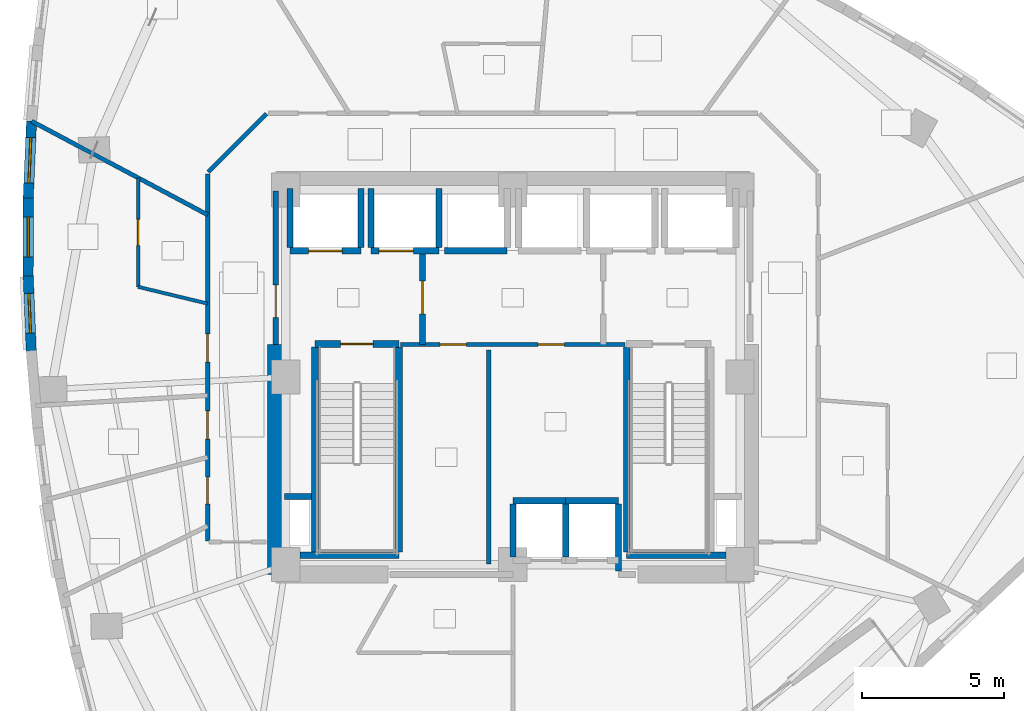
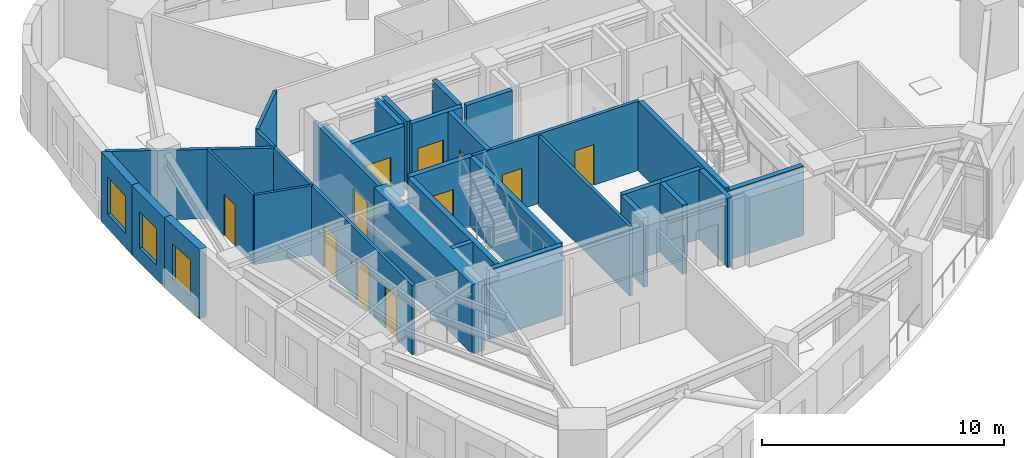
# One storey, part 6 of 12: 32 walls, 11 doors, 3 windows, 14 openings.
"""IFC4 building model written with IfcOpenShell, lengths in metres."""

from ifc_helpers import new_model, si_unit, direction, frame, frame_2d, origin, place, context, subcontext, project, spatial, rectangle, extrude, material, layer, layer_set, type_object, element, fill, save


model = new_model("IFC4")

# Units and contexts
model_context = context("Model", 3, precision=1e-05, world=origin(), true_north=direction((0.0, 1.0)))
body_context = subcontext(model_context, "Body", "Model", "MODEL_VIEW")
ifc_project = project(units=[si_unit("LENGTHUNIT", "METRE"), si_unit("AREAUNIT", "SQUARE_METRE"), si_unit("VOLUMEUNIT", "CUBIC_METRE"), si_unit("PLANEANGLEUNIT", "RADIAN"), si_unit("MASSUNIT", "GRAM", prefix="KILO")], contexts=[model_context])

# Site, building, storey
site_placement = place(None, origin())
site = spatial("IfcSite", under=ifc_project, at=site_placement, CompositionType="ELEMENT")
building_placement = place(site_placement, origin())
building = spatial("IfcBuilding", under=site, at=building_placement, Name="Ndelora Gate Hotel", CompositionType="ELEMENT")
storey_placement = place(building_placement, frame((0.0, 0.0, 142.25)))
storey = spatial("IfcBuildingStorey", under=building, at=storey_placement, Name="L35", CompositionType="ELEMENT", Elevation=142.25)

# Wall, opening, window
ifc_material_1 = material(Name="Clay Brick Masonry", Category="masonry")
ifc_layer_1 = layer(ifc_material_1, 0.360107421875)
ifc_layer_set_1 = layer_set([ifc_layer_1], Name="Clay Brick Masonry")
wall_type_1 = type_object("IfcWallType", Name="WL-BRICK-360", PredefinedType="SOLIDWALL", material=ifc_layer_set_1)
wall_1_placement = place(storey_placement, frame((-17.069580078125, 6.26220703125, 0.0), z_axis=(0.0, 0.0, 1.0), x_axis=(0.043014721574, 0.999074438532, 0.0)))
wall_1 = element("IfcWall", 1, at=wall_1_placement, inside=storey, type_object=wall_type_1, Name="L35 Tower Brick Pier-and-Spandrel Wall TWR-11", PredefinedType="SOLIDWALL", context=body_context, shape_type="SweptSolid", body=[
    extrude(rectangle(XDim=2.75830078125, YDim=0.360107421875, at=frame_2d((1.379150390625, 0.0))), origin(), (0.0, 0.0, 1.0), 3.5),
])
opening_1_placement = place(wall_1_placement, frame((0.5791015625, 0.0, 0.719970703125)))
opening_1 = element("IfcOpeningElement", 2, at=opening_1_placement, cuts=wall_1, Name="Opening W01", PredefinedType="OPENING", context=body_context, shape_type="SweptSolid", body=[
    extrude(rectangle(XDim=1.60009765625, YDim=1.8798828125, at=frame_2d((0.800048828125, 0.93994140625))), frame((0.0, 0.18994140625, 0.0), z_axis=(0.0, -1.0, 0.0), x_axis=(1.0, 0.0, 0.0)), (0.0, 0.0, 1.0), 0.380126953125),
])
ifc_material_2 = material(Name="Insulated Low-E Double Glazing in Bronze Aluminium Frame", Category="aluminium")
window_type_1 = type_object("IfcWindowType", Name="WN-DEEP-1600", PartitioningType="SINGLE_PANEL", PredefinedType="WINDOW", material=ifc_material_2)
window_1_placement = place(opening_1_placement, origin())
window_1 = element("IfcWindow", 3, at=window_1_placement, inside=storey, type_object=window_type_1, Name="L35 Deep-Set Brick-Pier Window W01", OverallHeight=1.8798828125, OverallWidth=1.60009765625, PartitioningType="SINGLE_PANEL", PredefinedType="WINDOW", context=body_context, shape_type="SweptSolid", body=[
    extrude(rectangle(XDim=1.60009765625, YDim=1.8798828125, at=frame_2d((0.800048828125, 0.93994140625))), frame((0.0, 0.030029296875, 0.0), z_axis=(0.0, -1.0, 0.0), x_axis=(1.0, 0.0, 0.0)), (0.0, 0.0, 1.0), 0.06005859375),
])
fill(opening_1, window_1)

wall_2_placement = place(storey_placement, frame((-17.071533203125, 3.568115234375, 0.0), z_axis=(0.0, 0.0, 1.0), x_axis=(0.001156582856, 0.999999331158, 0.0)))
wall_2 = element("IfcWall", 4, at=wall_2_placement, inside=storey, type_object=wall_type_1, Name="L35 Tower Brick Pier-and-Spandrel Wall TWR-12", PredefinedType="SOLIDWALL", context=body_context, shape_type="SweptSolid", body=[
    extrude(rectangle(XDim=2.744140625, YDim=0.360107421875, at=frame_2d((1.3720703125, 0.0))), origin(), (0.0, 0.0, 1.0), 3.5),
])
opening_2_placement = place(wall_2_placement, frame((0.672119140625, 0.0, 0.719970703125)))
opening_2 = element("IfcOpeningElement", 5, at=opening_2_placement, cuts=wall_2, Name="Opening W02", PredefinedType="OPENING", context=body_context, shape_type="SweptSolid", body=[
    extrude(rectangle(XDim=1.39990234375, YDim=1.840087890625, at=frame_2d((0.699951171875, 0.919921875))), frame((0.0, 0.18994140625, 0.0), z_axis=(0.0, -1.0, 0.0), x_axis=(1.0, 0.0, 0.0)), (0.0, 0.0, 1.0), 0.380126953125),
])
window_type_2 = type_object("IfcWindowType", Name="WN-DEEP-1400", PartitioningType="SINGLE_PANEL", PredefinedType="WINDOW", material=ifc_material_2)
window_2_placement = place(opening_2_placement, origin())
window_2 = element("IfcWindow", 6, at=window_2_placement, inside=storey, type_object=window_type_2, Name="L35 Deep-Set Brick-Pier Window W02", OverallHeight=1.840087890625, OverallWidth=1.39990234375, PartitioningType="SINGLE_PANEL", PredefinedType="WINDOW", context=body_context, shape_type="SweptSolid", body=[
    extrude(rectangle(XDim=1.39990234375, YDim=1.840087890625, at=frame_2d((0.699951171875, 0.919921875))), frame((0.0, 0.030029296875, 0.0), z_axis=(0.0, -1.0, 0.0), x_axis=(1.0, 0.0, 0.0)), (0.0, 0.0, 1.0), 0.06005859375),
])
fill(opening_2, window_2)

wall_3_placement = place(storey_placement, frame((-16.96044921875, 0.885986328125, 0.0), z_axis=(0.0, 0.0, 1.0), x_axis=(-0.040980646294, 0.999159940465, 0.0)))
wall_3 = element("IfcWall", 7, at=wall_3_placement, inside=storey, type_object=wall_type_1, Name="L35 Tower Brick Pier-and-Spandrel Wall TWR-13", PredefinedType="SOLIDWALL", context=body_context, shape_type="SweptSolid", body=[
    extrude(rectangle(XDim=2.734375, YDim=0.360107421875, at=frame_2d((1.3671875, 0.0))), origin(), (0.0, 0.0, 1.0), 3.5),
])
opening_3_placement = place(wall_3_placement, frame((0.667236328125, 0.0, 0.719970703125)))
opening_3 = element("IfcOpeningElement", 8, at=opening_3_placement, cuts=wall_3, Name="Opening W02", PredefinedType="OPENING", context=body_context, shape_type="SweptSolid", body=[
    extrude(rectangle(XDim=1.39990234375, YDim=1.840087890625, at=frame_2d((0.699951171875, 0.919921875))), frame((0.0, 0.18994140625, 0.0), z_axis=(0.0, -1.0, 0.0), x_axis=(1.0, 0.0, 0.0)), (0.0, 0.0, 1.0), 0.380126953125),
])
window_3_placement = place(opening_3_placement, origin())
window_3 = element("IfcWindow", 9, at=window_3_placement, inside=storey, type_object=window_type_2, Name="L35 Deep-Set Brick-Pier Window W02", OverallHeight=1.840087890625, OverallWidth=1.39990234375, PartitioningType="SINGLE_PANEL", PredefinedType="WINDOW", context=body_context, shape_type="SweptSolid", body=[
    extrude(rectangle(XDim=1.39990234375, YDim=1.840087890625, at=frame_2d((0.699951171875, 0.919921875))), frame((0.0, 0.030029296875, 0.0), z_axis=(0.0, -1.0, 0.0), x_axis=(1.0, 0.0, 0.0)), (0.0, 0.0, 1.0), 0.06005859375),
])
fill(opening_3, window_3)

# Wall
ifc_material_3 = material(Name="Concrete C60/75", Category="concrete")
ifc_layer_2 = layer(ifc_material_3, 0.60009765625)
ifc_layer_set_2 = layer_set([ifc_layer_2], Name="Concrete C60/75")
wall_type_2 = type_object("IfcWallType", Name="WL-CORE-600", PredefinedType="SHEAR", material=ifc_layer_set_2)
wall_4_placement = place(storey_placement, frame((-8.35009765625, -6.949951171875, 0.0), z_axis=(0.0, 0.0, 1.0), x_axis=(0.0, 1.0, 0.0)))
element("IfcWall", 10, at=wall_4_placement, inside=storey, type_object=wall_type_2, Name="L35 Core Shear Wall W", PredefinedType="SHEAR", context=body_context, shape_type="SweptSolid", body=[
    extrude(rectangle(XDim=8.099853515625, YDim=0.60009765625, at=frame_2d((4.0498046875, 0.0))), origin(), (0.0, 0.0, 1.0), 3.5),
])

# Wall, opening, door
ifc_material_4 = material(Name="Concrete C40/50", Category="concrete")
ifc_layer_3 = layer(ifc_material_4, 0.199951171875)
ifc_layer_set_3 = layer_set([ifc_layer_3], Name="Concrete C40/50")
wall_type_3 = type_object("IfcWallType", Name="WL-FIRE-200", PredefinedType="PARTITIONING", material=ifc_layer_set_3)
wall_5_placement = place(storey_placement, frame((-3.179931640625, 1.14990234375, 0.0), z_axis=(0.0, 0.0, 1.0), x_axis=(0.0, 1.0, 0.0)))
wall_5 = element("IfcWall", 11, at=wall_5_placement, inside=storey, type_object=wall_type_3, Name="L35 Interior Wall IW-2", PredefinedType="PARTITIONING", context=body_context, shape_type="SweptSolid", body=[
    extrude(rectangle(XDim=3.300048828125, YDim=0.199951171875, at=frame_2d((1.64990234375, 0.0))), origin(), (0.0, 0.0, 1.0), 3.5),
])
opening_4_placement = place(wall_5_placement, frame((1.080078125, 0.0, 0.0)))
opening_4 = element("IfcOpeningElement", 12, at=opening_4_placement, cuts=wall_5, Name="Opening FD1", PredefinedType="OPENING", context=body_context, shape_type="SweptSolid", body=[
    extrude(rectangle(XDim=1.14990234375, YDim=2.14990234375, at=frame_2d((0.574951171875, 1.074951171875))), frame((0.0, 0.10986328125, 0.0), z_axis=(0.0, -1.0, 0.0), x_axis=(1.0, 0.0, 0.0)), (0.0, 0.0, 1.0), 0.219970703125),
])
ifc_material_5 = material(Name="Fire-Rated Timber-Veneer Steel Core", Category="steel")
door_type_1 = type_object("IfcDoorType", Name="DR-FD60", OperationType="SINGLE_SWING_LEFT", PredefinedType="DOOR", material=ifc_material_5)
door_1_placement = place(opening_4_placement, origin())
door_1 = element("IfcDoor", 13, at=door_1_placement, inside=storey, type_object=door_type_1, Name="L35 Firefighting Lobby West Door", OperationType="SINGLE_SWING_RIGHT", OverallHeight=2.14990234375, OverallWidth=1.14990234375, PredefinedType="DOOR", context=body_context, shape_type="SweptSolid", body=[
    extrude(rectangle(XDim=1.14990234375, YDim=2.14990234375, at=frame_2d((0.574951171875, 1.074951171875))), frame((0.0, 0.02490234375, 0.0), z_axis=(0.0, -1.0, 0.0), x_axis=(1.0, 0.0, 0.0)), (0.0, 0.0, 1.0), 0.050048828125),
])
fill(opening_4, door_1)

wall_6_placement = place(storey_placement, frame((-8.35009765625, 1.14990234375, 0.0), z_axis=(0.0, 0.0, 1.0), x_axis=(0.0, 1.0, 0.0)))
wall_6 = element("IfcWall", 14, at=wall_6_placement, inside=storey, type_object=wall_type_3, Name="L35 Interior Wall IW-2", PredefinedType="PARTITIONING", context=body_context, shape_type="SweptSolid", body=[
    extrude(rectangle(XDim=5.400146484375, YDim=0.199951171875, at=frame_2d((2.7001953125, 0.0))), origin(), (0.0, 0.0, 1.0), 3.5),
])
opening_5_placement = place(wall_6_placement, frame((0.949951171875, 0.0, 0.0)))
opening_5 = element("IfcOpeningElement", 15, at=opening_5_placement, cuts=wall_6, Name="Opening FD1", PredefinedType="OPENING", context=body_context, shape_type="SweptSolid", body=[
    extrude(rectangle(XDim=1.14990234375, YDim=2.14990234375, at=frame_2d((0.574951171875, 1.074951171875))), frame((0.0, 0.10986328125, 0.0), z_axis=(0.0, -1.0, 0.0), x_axis=(1.0, 0.0, 0.0)), (0.0, 0.0, 1.0), 0.219970703125),
])
door_2_placement = place(opening_5_placement, origin())
door_2 = element("IfcDoor", 16, at=door_2_placement, inside=storey, type_object=door_type_1, Name="L35 Firefighting Lobby West Corridor Door", OperationType="SINGLE_SWING_LEFT", OverallHeight=2.14990234375, OverallWidth=1.14990234375, PredefinedType="DOOR", context=body_context, shape_type="SweptSolid", body=[
    extrude(rectangle(XDim=1.14990234375, YDim=2.14990234375, at=frame_2d((0.574951171875, 1.074951171875))), frame((0.0, 0.02490234375, 0.0), z_axis=(0.0, -1.0, 0.0), x_axis=(1.0, 0.0, 0.0)), (0.0, 0.0, 1.0), 0.050048828125),
])
fill(opening_5, door_2)

# Wall, openings, doors
ifc_material_6 = material(Name="Fire-Rated Gypsum Stud Partition", Category="gypsum")
ifc_layer_4 = layer(ifc_material_6, 0.14990234375)
ifc_layer_set_4 = layer_set([ifc_layer_4], Name="Fire-Rated Gypsum Stud Partition")
wall_type_4 = type_object("IfcWallType", Name="WL-PART-150", PredefinedType="PARTITIONING", material=ifc_layer_set_4)
wall_7_placement = place(storey_placement, frame((3.949951171875, 1.14990234375, 0.0), z_axis=(0.0, 0.0, 1.0), x_axis=(-1.0, 0.0, 0.0)))
wall_7 = element("IfcWall", 17, at=wall_7_placement, inside=storey, type_object=wall_type_4, Name="L35 Interior Wall IW-5", PredefinedType="PARTITIONING", context=body_context, shape_type="SweptSolid", body=[
    extrude(rectangle(XDim=7.89990234375, YDim=0.14990234375, at=frame_2d((3.949951171875, 0.0))), origin(), (0.0, 0.0, 1.0), 3.5),
])
opening_6_placement = place(wall_7_placement, frame((5.590087890625, 0.0, 0.0)))
opening_6 = element("IfcOpeningElement", 18, at=opening_6_placement, cuts=wall_7, Name="Opening D04", PredefinedType="OPENING", context=body_context, shape_type="SweptSolid", body=[
    extrude(rectangle(XDim=0.919921875, YDim=2.050048828125, at=frame_2d((0.4599609375, 1.02490234375))), frame((0.0, 0.0849609375, 0.0), z_axis=(0.0, -1.0, 0.0), x_axis=(1.0, 0.0, 0.0)), (0.0, 0.0, 1.0), 0.169921875),
])
opening_7_placement = place(wall_7_placement, frame((2.139892578125, 0.0, 0.0)))
opening_7 = element("IfcOpeningElement", 19, at=opening_7_placement, cuts=wall_7, Name="Opening D04", PredefinedType="OPENING", context=body_context, shape_type="SweptSolid", body=[
    extrude(rectangle(XDim=0.919921875, YDim=2.050048828125, at=frame_2d((0.4599609375, 1.02490234375))), frame((0.0, 0.0849609375, 0.0), z_axis=(0.0, -1.0, 0.0), x_axis=(1.0, 0.0, 0.0)), (0.0, 0.0, 1.0), 0.169921875),
])
ifc_material_7 = material(Name="Painted Steel Core Service Door", Category="steel")
door_type_2 = type_object("IfcDoorType", Name="DR-SER-920", OperationType="SINGLE_SWING_LEFT", PredefinedType="DOOR", material=ifc_material_7)
door_3_placement = place(opening_6_placement, origin())
door_3 = element("IfcDoor", 20, at=door_3_placement, inside=storey, type_object=door_type_2, Name="L35 Core Electrical Switchroom Door", OperationType="SINGLE_SWING_LEFT", OverallHeight=2.050048828125, OverallWidth=0.919921875, PredefinedType="DOOR", context=body_context, shape_type="SweptSolid", body=[
    extrude(rectangle(XDim=0.919921875, YDim=2.050048828125, at=frame_2d((0.4599609375, 1.02490234375))), frame((0.0, 0.02490234375, 0.0), z_axis=(0.0, -1.0, 0.0), x_axis=(1.0, 0.0, 0.0)), (0.0, 0.0, 1.0), 0.050048828125),
])
fill(opening_6, door_3)
door_4_placement = place(opening_7_placement, origin())
door_4 = element("IfcDoor", 21, at=door_4_placement, inside=storey, type_object=door_type_2, Name="L35 Central Linen Equipment Store Door", OperationType="SINGLE_SWING_RIGHT", OverallHeight=2.050048828125, OverallWidth=0.919921875, PredefinedType="DOOR", context=body_context, shape_type="SweptSolid", body=[
    extrude(rectangle(XDim=0.919921875, YDim=2.050048828125, at=frame_2d((0.4599609375, 1.02490234375))), frame((0.0, 0.02490234375, 0.0), z_axis=(0.0, -1.0, 0.0), x_axis=(1.0, 0.0, 0.0)), (0.0, 0.0, 1.0), 0.050048828125),
])
fill(opening_7, door_4)

# Walls
wall_8_placement = place(storey_placement, frame((-0.85009765625, -6.580078125, 0.0), z_axis=(0.0, 0.0, 1.0), x_axis=(0.0, 1.0, 0.0)))
element("IfcWall", 22, at=wall_8_placement, inside=storey, type_object=wall_type_4, Name="L35 Interior Wall IW-5", PredefinedType="PARTITIONING", context=body_context, shape_type="SweptSolid", body=[
    extrude(rectangle(XDim=7.530029296875, YDim=0.14990234375, at=frame_2d((3.76513671875, 0.0))), origin(), (0.0, 0.0, 1.0), 3.5),
])
wall_9_placement = place(storey_placement, frame((-10.7216796875, 7.228271484375, 0.0), z_axis=(0.0, 0.0, 1.0), x_axis=(0.707106781187, 0.707106781187, 0.0)))
element("IfcWall", 23, at=wall_9_placement, inside=storey, type_object=wall_type_4, Name="L35 Interior Wall IW-5", PredefinedType="PARTITIONING", context=body_context, shape_type="SweptSolid", body=[
    extrude(rectangle(XDim=2.889892578125, YDim=0.14990234375, at=frame_2d((1.44482421875, 0.0))), origin(), (0.0, 0.0, 1.0), 3.5),
])

# Wall, openings, doors
wall_10_placement = place(storey_placement, frame((-10.75, -5.760009765625, 0.0), z_axis=(0.0, 0.0, 1.0), x_axis=(0.0, 1.0, 0.0)))
wall_10 = element("IfcWall", 24, at=wall_10_placement, inside=storey, type_object=wall_type_4, Name="L35 Interior Wall IW-5", PredefinedType="PARTITIONING", context=body_context, shape_type="SweptSolid", body=[
    extrude(rectangle(XDim=12.919921875, YDim=0.14990234375, at=frame_2d((6.4599609375, 0.0))), origin(), (0.0, 0.0, 1.0), 3.5),
])
opening_8_placement = place(wall_10_placement, frame((1.29345703125, 0.0, 0.0)))
opening_8 = element("IfcOpeningElement", 25, at=opening_8_placement, cuts=wall_10, Name="Opening D05", PredefinedType="OPENING", context=body_context, shape_type="SweptSolid", body=[
    extrude(rectangle(XDim=0.949951171875, YDim=2.10009765625, at=frame_2d((0.47509765625, 1.050048828125))), frame((0.0, 0.0849609375, 0.0), z_axis=(0.0, -1.0, 0.0), x_axis=(1.0, 0.0, 0.0)), (0.0, 0.0, 1.0), 0.169921875),
])
opening_9_placement = place(wall_10_placement, frame((3.575439453125, 0.0, 0.0)))
opening_9 = element("IfcOpeningElement", 26, at=opening_9_placement, cuts=wall_10, Name="Opening D01", PredefinedType="OPENING", context=body_context, shape_type="SweptSolid", body=[
    extrude(rectangle(XDim=1.0, YDim=2.14990234375, at=frame_2d((0.5, 1.074951171875))), frame((0.0, 0.0849609375, 0.0), z_axis=(0.0, -1.0, 0.0), x_axis=(1.0, 0.0, 0.0)), (0.0, 0.0, 1.0), 0.169921875),
])
opening_10_placement = place(wall_10_placement, frame((6.286865234375, 0.0, 0.0)))
opening_10 = element("IfcOpeningElement", 27, at=opening_10_placement, cuts=wall_10, Name="Opening D01", PredefinedType="OPENING", context=body_context, shape_type="SweptSolid", body=[
    extrude(rectangle(XDim=1.0, YDim=2.14990234375, at=frame_2d((0.5, 1.074951171875))), frame((0.0, 0.0849609375, 0.0), z_axis=(0.0, -1.0, 0.0), x_axis=(1.0, 0.0, 0.0)), (0.0, 0.0, 1.0), 0.169921875),
])
ifc_material_8 = material(Name="Accessible Restroom Wide-Clearance Door", Category="wood")
door_type_3 = type_object("IfcDoorType", Name="DR-ACC-950", OperationType="SINGLE_SWING_LEFT", PredefinedType="DOOR", material=ifc_material_8)
door_5_placement = place(opening_8_placement, origin())
door_5 = element("IfcDoor", 28, at=door_5_placement, inside=storey, type_object=door_type_3, Name="L35 Accessible WC Entrance Door", OperationType="SINGLE_SWING_RIGHT", OverallHeight=2.10009765625, OverallWidth=0.949951171875, PredefinedType="DOOR", context=body_context, shape_type="SweptSolid", body=[
    extrude(rectangle(XDim=0.949951171875, YDim=2.10009765625, at=frame_2d((0.47509765625, 1.050048828125))), frame((0.0, 0.02490234375, 0.0), z_axis=(0.0, -1.0, 0.0), x_axis=(1.0, 0.0, 0.0)), (0.0, 0.0, 1.0), 0.050048828125),
])
fill(opening_8, door_5)
ifc_material_9 = material(Name="Acoustic Hardwood Guest Entrance Door", Category="wood")
door_type_4 = type_object("IfcDoorType", Name="DR-COR-1000", OperationType="SINGLE_SWING_LEFT", PredefinedType="DOOR", material=ifc_material_9)
door_6_placement = place(opening_9_placement, origin())
door_6 = element("IfcDoor", 29, at=door_6_placement, inside=storey, type_object=door_type_4, Name="L35 Housekeeping and Linen Room Entrance Door", OperationType="SINGLE_SWING_LEFT", OverallHeight=2.14990234375, OverallWidth=1.0, PredefinedType="DOOR", context=body_context, shape_type="SweptSolid", body=[
    extrude(rectangle(XDim=1.0, YDim=2.14990234375, at=frame_2d((0.5, 1.074951171875))), frame((0.0, 0.02490234375, 0.0), z_axis=(0.0, -1.0, 0.0), x_axis=(1.0, 0.0, 0.0)), (0.0, 0.0, 1.0), 0.050048828125),
])
fill(opening_9, door_6)
door_7_placement = place(opening_10_placement, origin())
door_7 = element("IfcDoor", 30, at=door_7_placement, inside=storey, type_object=door_type_4, Name="L35 Club King Guest Room 3804 Entrance Door", OperationType="SINGLE_SWING_RIGHT", OverallHeight=2.14990234375, OverallWidth=1.0, PredefinedType="DOOR", context=body_context, shape_type="SweptSolid", body=[
    extrude(rectangle(XDim=1.0, YDim=2.14990234375, at=frame_2d((0.5, 1.074951171875))), frame((0.0, 0.02490234375, 0.0), z_axis=(0.0, -1.0, 0.0), x_axis=(1.0, 0.0, 0.0)), (0.0, 0.0, 1.0), 0.050048828125),
])
fill(opening_10, door_7)

# Walls
wall_11_placement = place(storey_placement, frame((-10.75, 5.718994140625, 0.0), z_axis=(0.0, 0.0, 1.0), x_axis=(-0.882843253565, 0.469667743873, 0.0)))
element("IfcWall", 31, at=wall_11_placement, inside=storey, type_object=wall_type_4, Name="L35 Interior Wall IW-5", PredefinedType="PARTITIONING", context=body_context, shape_type="SweptSolid", body=[
    extrude(rectangle(XDim=7.022705078125, YDim=0.14990234375, at=frame_2d((3.51123046875, 0.0))), origin(), (0.0, 0.0, 1.0), 3.5),
])
ifc_layer_5 = layer(ifc_material_4, 0.219970703125)
ifc_layer_set_5 = layer_set([ifc_layer_5], Name="Concrete C40/50")
wall_type_5 = type_object("IfcWallType", Name="WL-SHAFT-220", PredefinedType="PARTITIONING", material=ifc_layer_set_5)
wall_12_placement = place(storey_placement, frame((-8.050048828125, -4.199951171875, 0.0), z_axis=(0.0, 0.0, 1.0), x_axis=(1.0, 0.0, 0.0)))
element("IfcWall", 32, at=wall_12_placement, inside=storey, type_object=wall_type_5, Name="L35 Interior Wall IW-1", PredefinedType="PARTITIONING", context=body_context, shape_type="SweptSolid", body=[
    extrude(rectangle(XDim=0.9599609375, YDim=0.219970703125, at=frame_2d((0.47998046875, 0.0))), origin(), (0.0, 0.0, 1.0), 3.5),
])

# Wall, opening, door
wall_13_placement = place(storey_placement, frame((-7.85009765625, 4.449951171875, 0.0), z_axis=(0.0, 0.0, 1.0), x_axis=(1.0, 0.0, 0.0)))
wall_13 = element("IfcWall", 33, at=wall_13_placement, inside=storey, type_object=wall_type_5, Name="L35 Interior Wall IW-1", PredefinedType="PARTITIONING", context=body_context, shape_type="SweptSolid", body=[
    extrude(rectangle(XDim=2.5, YDim=0.219970703125, at=frame_2d((1.25, 0.0))), origin(), (0.0, 0.0, 1.0), 3.5),
])
opening_11_placement = place(wall_13_placement, frame((0.659912109375, 0.0, 0.0)))
opening_11 = element("IfcOpeningElement", 34, at=opening_11_placement, cuts=wall_13, Name="Opening LD5", PredefinedType="OPENING", context=body_context, shape_type="SweptSolid", body=[
    extrude(rectangle(XDim=1.179931640625, YDim=2.14990234375, at=frame_2d((0.58984375, 1.074951171875))), frame((0.0, 0.1201171875, 0.0), z_axis=(0.0, -1.0, 0.0), x_axis=(1.0, 0.0, 0.0)), (0.0, 0.0, 1.0), 0.239990234375),
])
ifc_material_10 = material(Name="Firefighting Lift Stainless Sliding Landing Door", Category="metal")
door_type_5 = type_object("IfcDoorType", Name="DR-LD5", OperationType="DOUBLE_DOOR_SLIDING", PredefinedType="DOOR", material=ifc_material_10)
door_8_placement = place(opening_11_placement, origin())
door_8 = element("IfcDoor", 35, at=door_8_placement, inside=storey, type_object=door_type_5, Name="L35 Lift Landing Sliding Door FFL1", OperationType="DOUBLE_DOOR_SLIDING", OverallHeight=2.14990234375, OverallWidth=1.179931640625, PredefinedType="DOOR", context=body_context, shape_type="SweptSolid", body=[
    extrude(rectangle(XDim=1.179931640625, YDim=2.14990234375, at=frame_2d((0.58984375, 1.074951171875))), frame((0.0, 0.02490234375, 0.0), z_axis=(0.0, -1.0, 0.0), x_axis=(1.0, 0.0, 0.0)), (0.0, 0.0, 1.0), 0.050048828125),
])
fill(opening_11, door_8)

# Walls
wall_14_placement = place(storey_placement, frame((-7.85009765625, 4.570068359375, 0.0), z_axis=(0.0, 0.0, 1.0), x_axis=(0.0, 1.0, 0.0)))
element("IfcWall", 36, at=wall_14_placement, inside=storey, type_object=wall_type_5, Name="L35 Interior Wall IW-1", PredefinedType="PARTITIONING", context=body_context, shape_type="SweptSolid", body=[
    extrude(rectangle(XDim=2.079833984375, YDim=0.219970703125, at=frame_2d((1.0400390625, 0.0))), origin(), (0.0, 0.0, 1.0), 3.1201171875),
])
wall_15_placement = place(storey_placement, frame((-5.35009765625, 4.570068359375, 0.0), z_axis=(0.0, 0.0, 1.0), x_axis=(0.0, 1.0, 0.0)))
element("IfcWall", 37, at=wall_15_placement, inside=storey, type_object=wall_type_5, Name="L35 Interior Wall IW-1", PredefinedType="PARTITIONING", context=body_context, shape_type="SweptSolid", body=[
    extrude(rectangle(XDim=2.079833984375, YDim=0.219970703125, at=frame_2d((1.0400390625, 0.0))), origin(), (0.0, 0.0, 1.0), 3.5),
])

# Wall, opening, door
wall_16_placement = place(storey_placement, frame((-5.0, 4.449951171875, 0.0), z_axis=(0.0, 0.0, 1.0), x_axis=(1.0, 0.0, 0.0)))
wall_16 = element("IfcWall", 38, at=wall_16_placement, inside=storey, type_object=wall_type_5, Name="L35 Interior Wall IW-1", PredefinedType="PARTITIONING", context=body_context, shape_type="SweptSolid", body=[
    extrude(rectangle(XDim=2.39990234375, YDim=0.219970703125, at=frame_2d((1.199951171875, 0.0))), origin(), (0.0, 0.0, 1.0), 3.5),
])
opening_12_placement = place(wall_16_placement, frame((0.280029296875, 0.0, 0.0)))
opening_12 = element("IfcOpeningElement", 39, at=opening_12_placement, cuts=wall_16, Name="Opening LD6", PredefinedType="OPENING", context=body_context, shape_type="SweptSolid", body=[
    extrude(rectangle(XDim=1.219970703125, YDim=2.14990234375, at=frame_2d((0.60986328125, 1.074951171875))), frame((0.0, 0.1201171875, 0.0), z_axis=(0.0, -1.0, 0.0), x_axis=(1.0, 0.0, 0.0)), (0.0, 0.0, 1.0), 0.239990234375),
])
ifc_material_11 = material(Name="Heavy-Duty Service Lift Sliding Landing Door", Category="wood")
door_type_6 = type_object("IfcDoorType", Name="DR-LD6", OperationType="DOUBLE_DOOR_SLIDING", PredefinedType="DOOR", material=ifc_material_11)
door_9_placement = place(opening_12_placement, origin())
door_9 = element("IfcDoor", 40, at=door_9_placement, inside=storey, type_object=door_type_6, Name="L35 Lift Landing Sliding Door SVL1", OperationType="DOUBLE_DOOR_SLIDING", OverallHeight=2.14990234375, OverallWidth=1.219970703125, PredefinedType="DOOR", context=body_context, shape_type="SweptSolid", body=[
    extrude(rectangle(XDim=1.219970703125, YDim=2.14990234375, at=frame_2d((0.60986328125, 1.074951171875))), frame((0.0, 0.02490234375, 0.0), z_axis=(0.0, -1.0, 0.0), x_axis=(1.0, 0.0, 0.0)), (0.0, 0.0, 1.0), 0.050048828125),
])
fill(opening_12, door_9)

# Walls
for number, where, z_axis, x_axis, name in (
    (41, (-5.0, 4.570068359375, 0.0), (0.0, 0.0, 1.0), (0.0, 1.0, 0.0), "L35 Interior Wall IW-1"),
    (42, (-2.60009765625, 4.570068359375, 0.0), (0.0, 0.0, 1.0), (0.0, 1.0, 0.0), "L35 Interior Wall IW-1"),
):
    element("IfcWall", number, at=place(storey_placement, frame(where, z_axis=z_axis, x_axis=x_axis)), inside=storey, type_object=wall_type_5, Name=name, PredefinedType="PARTITIONING", context=body_context, shape_type="SweptSolid", body=[
        extrude(rectangle(XDim=2.079833984375, YDim=0.219970703125, at=frame_2d((1.0400390625, 0.0))), origin(), (0.0, 0.0, 1.0), 3.5),
    ])
for number, where, z_axis, x_axis, name in (
    (43, (0.0, -4.35009765625, 0.0), (0.0, 0.0, 1.0), (1.0, 0.0, 0.0), "L35 Interior Wall IW-1"),
    (44, (0.0, -6.330078125, 0.0), (0.0, 0.0, 1.0), (0.0, 1.0, 0.0), "L35 Interior Wall IW-1"),
    (45, (1.860107421875, -6.330078125, 0.0), (0.0, 0.0, 1.0), (0.0, 1.0, 0.0), "L35 Interior Wall IW-1"),
):
    element("IfcWall", number, at=place(storey_placement, frame(where, z_axis=z_axis, x_axis=x_axis)), inside=storey, type_object=wall_type_5, Name=name, PredefinedType="PARTITIONING", context=body_context, shape_type="SweptSolid", body=[
        extrude(rectangle(XDim=1.860107421875, YDim=0.219970703125, at=frame_2d((0.93017578125, 0.0))), origin(), (0.0, 0.0, 1.0), 3.5),
    ])
wall_17_placement = place(storey_placement, frame((1.860107421875, -4.35009765625, 0.0), z_axis=(0.0, 0.0, 1.0), x_axis=(1.0, 0.0, 0.0)))
element("IfcWall", 46, at=wall_17_placement, inside=storey, type_object=wall_type_5, Name="L35 Interior Wall IW-1", PredefinedType="PARTITIONING", context=body_context, shape_type="SweptSolid", body=[
    extrude(rectangle(XDim=1.85986328125, YDim=0.219970703125, at=frame_2d((0.929931640625, 0.0))), origin(), (0.0, 0.0, 1.0), 3.5),
])
wall_18_placement = place(storey_placement, frame((3.719970703125, -6.830078125, 0.0), z_axis=(0.0, 0.0, 1.0), x_axis=(0.0, 1.0, 0.0)))
element("IfcWall", 47, at=wall_18_placement, inside=storey, type_object=wall_type_5, Name="L35 Interior Wall IW-1", PredefinedType="PARTITIONING", context=body_context, shape_type="SweptSolid", body=[
    extrude(rectangle(XDim=2.360107421875, YDim=0.219970703125, at=frame_2d((1.18017578125, 0.0))), origin(), (0.0, 0.0, 1.0), 3.5),
])
wall_19_placement = place(storey_placement, frame((-2.39990234375, 4.449951171875, 0.0), z_axis=(0.0, 0.0, 1.0), x_axis=(1.0, 0.0, 0.0)))
element("IfcWall", 48, at=wall_19_placement, inside=storey, type_object=wall_type_5, Name="L35 Interior Wall IW-1", PredefinedType="PARTITIONING", context=body_context, shape_type="SweptSolid", body=[
    extrude(rectangle(XDim=2.199951171875, YDim=0.219970703125, at=frame_2d((1.10009765625, 0.0))), origin(), (0.0, 0.0, 1.0), 3.5),
])
ifc_material_12 = material(Name="Concrete C50/60", Category="concrete")
ifc_layer_6 = layer(ifc_material_12, 0.239990234375)
ifc_layer_set_6 = layer_set([ifc_layer_6], Name="Concrete C50/60")
wall_type_6 = type_object("IfcWallType", Name="WL-STAIR-240", PredefinedType="SHEAR", material=ifc_layer_set_6)
wall_20_placement = place(storey_placement, frame((-6.969970703125, -6.159912109375, 0.0), z_axis=(0.0, 0.0, 1.0), x_axis=(0.0, 1.0, 0.0)))
element("IfcWall", 49, at=wall_20_placement, inside=storey, type_object=wall_type_6, Name="L35 Stair Core Shear Wall SW-ST", PredefinedType="SHEAR", context=body_context, shape_type="SweptSolid", body=[
    extrude(rectangle(XDim=7.219970703125, YDim=0.239990234375, at=frame_2d((3.60986328125, 0.0))), origin(), (0.0, 0.0, 1.0), 3.5),
])
wall_21_placement = place(storey_placement, frame((-7.5, -6.27001953125, 0.0), z_axis=(0.0, 0.0, 1.0), x_axis=(1.0, 0.0, 0.0)))
element("IfcWall", 50, at=wall_21_placement, inside=storey, type_object=wall_type_6, Name="L35 Stair Core Shear Wall SW-ST", PredefinedType="SHEAR", context=body_context, shape_type="SweptSolid", body=[
    extrude(rectangle(XDim=3.489990234375, YDim=0.239990234375, at=frame_2d((1.7451171875, 0.0))), origin(), (0.0, 0.0, 1.0), 3.5),
])
wall_22_placement = place(storey_placement, frame((-4.010009765625, -6.159912109375, 0.0), z_axis=(0.0, 0.0, 1.0), x_axis=(0.0, 1.0, 0.0)))
element("IfcWall", 51, at=wall_22_placement, inside=storey, type_object=wall_type_6, Name="L35 Stair Core Shear Wall SW-ST", PredefinedType="SHEAR", context=body_context, shape_type="SweptSolid", body=[
    extrude(rectangle(XDim=7.219970703125, YDim=0.239990234375, at=frame_2d((3.60986328125, 0.0))), origin(), (0.0, 0.0, 1.0), 3.5),
])

# Wall, opening, door
wall_23_placement = place(storey_placement, frame((-6.969970703125, 1.169921875, 0.0), z_axis=(0.0, 0.0, 1.0), x_axis=(1.0, 0.0, 0.0)))
wall_23 = element("IfcWall", 52, at=wall_23_placement, inside=storey, type_object=wall_type_6, Name="L35 Stair Core Shear Wall SW-ST", PredefinedType="SHEAR", context=body_context, shape_type="SweptSolid", body=[
    extrude(rectangle(XDim=2.9599609375, YDim=0.239990234375, at=frame_2d((1.47998046875, 0.0))), origin(), (0.0, 0.0, 1.0), 3.5),
])
opening_13_placement = place(wall_23_placement, frame((0.89990234375, 0.0, 0.0)))
opening_13 = element("IfcOpeningElement", 53, at=opening_13_placement, cuts=wall_23, Name="Opening FD1", PredefinedType="OPENING", context=body_context, shape_type="SweptSolid", body=[
    extrude(rectangle(XDim=1.14990234375, YDim=2.14990234375, at=frame_2d((0.574951171875, 1.074951171875))), frame((0.0, 0.1298828125, 0.0), z_axis=(0.0, -1.0, 0.0), x_axis=(1.0, 0.0, 0.0)), (0.0, 0.0, 1.0), 0.260009765625),
])
door_10_placement = place(opening_13_placement, origin())
door_10 = element("IfcDoor", 54, at=door_10_placement, inside=storey, type_object=door_type_1, Name="L35 Exit Stair ST4 Door", OperationType="SINGLE_SWING_LEFT", OverallHeight=2.14990234375, OverallWidth=1.14990234375, PredefinedType="DOOR", context=body_context, shape_type="SweptSolid", body=[
    extrude(rectangle(XDim=1.14990234375, YDim=2.14990234375, at=frame_2d((0.574951171875, 1.074951171875))), frame((0.0, 0.02490234375, 0.0), z_axis=(0.0, -1.0, 0.0), x_axis=(1.0, 0.0, 0.0)), (0.0, 0.0, 1.0), 0.050048828125),
])
fill(opening_13, door_10)

# Walls
wall_24_placement = place(storey_placement, frame((4.010009765625, -6.159912109375, 0.0), z_axis=(0.0, 0.0, 1.0), x_axis=(0.0, 1.0, 0.0)))
element("IfcWall", 55, at=wall_24_placement, inside=storey, type_object=wall_type_6, Name="L35 Stair Core Shear Wall SW-ST", PredefinedType="SHEAR", context=body_context, shape_type="SweptSolid", body=[
    extrude(rectangle(XDim=7.219970703125, YDim=0.239990234375, at=frame_2d((3.60986328125, 0.0))), origin(), (0.0, 0.0, 1.0), 3.5),
])
wall_25_placement = place(storey_placement, frame((4.010009765625, -6.27001953125, 0.0), z_axis=(0.0, 0.0, 1.0), x_axis=(1.0, 0.0, 0.0)))
element("IfcWall", 56, at=wall_25_placement, inside=storey, type_object=wall_type_6, Name="L35 Stair Core Shear Wall SW-ST", PredefinedType="SHEAR", context=body_context, shape_type="SweptSolid", body=[
    extrude(rectangle(XDim=3.489990234375, YDim=0.239990234375, at=frame_2d((1.7451171875, 0.0))), origin(), (0.0, 0.0, 1.0), 3.5),
])
ifc_material_13 = material(Name="Moisture-Resistant Bathroom Tile Partition", Category="gypsum")
ifc_layer_7 = layer(ifc_material_13, 0.1201171875)
ifc_layer_set_7 = layer_set([ifc_layer_7], Name="Moisture-Resistant Bathroom Tile Partition")
wall_type_7 = type_object("IfcWallType", Name="WL-WET-120", PredefinedType="PARTITIONING", material=ifc_layer_set_7)
wall_26_placement = place(storey_placement, frame((-10.75, 2.591796875, 0.0), z_axis=(0.0, 0.0, 1.0), x_axis=(-0.972131712449, 0.234435350685, 0.0)))
element("IfcWall", 57, at=wall_26_placement, inside=storey, type_object=wall_type_7, Name="L35 Interior Wall IW-7", PredefinedType="PARTITIONING", context=body_context, shape_type="SweptSolid", body=[
    extrude(rectangle(XDim=2.520263671875, YDim=0.1201171875, at=frame_2d((1.26025390625, 0.0))), origin(), (0.0, 0.0, 1.0), 3.5),
])

# Wall, opening, door
wall_27_placement = place(storey_placement, frame((-13.199951171875, 3.1826171875, 0.0), z_axis=(0.0, 0.0, 1.0), x_axis=(0.0, 1.0, 0.0)))
wall_27 = element("IfcWall", 58, at=wall_27_placement, inside=storey, type_object=wall_type_7, Name="L35 Interior Wall IW-7", PredefinedType="PARTITIONING", context=body_context, shape_type="SweptSolid", body=[
    extrude(rectangle(XDim=3.83984375, YDim=0.1201171875, at=frame_2d((1.919921875, 0.0))), origin(), (0.0, 0.0, 1.0), 3.5),
])
opening_14_placement = place(wall_27_placement, frame((1.4599609375, 0.0, 0.0)))
opening_14 = element("IfcOpeningElement", 59, at=opening_14_placement, cuts=wall_27, Name="Opening D03", PredefinedType="OPENING", context=body_context, shape_type="SweptSolid", body=[
    extrude(rectangle(XDim=0.919921875, YDim=2.10009765625, at=frame_2d((0.4599609375, 1.050048828125))), frame((0.0, 0.070068359375, 0.0), z_axis=(0.0, -1.0, 0.0), x_axis=(1.0, 0.0, 0.0)), (0.0, 0.0, 1.0), 0.14013671875),
])
ifc_material_14 = material(Name="Moisture-Resistant Hardwood En-Suite Door", Category="wood")
door_type_7 = type_object("IfcDoorType", Name="DR-BATH-920", OperationType="SINGLE_SWING_LEFT", PredefinedType="DOOR", material=ifc_material_14)
door_11_placement = place(opening_14_placement, origin())
door_11 = element("IfcDoor", 60, at=door_11_placement, inside=storey, type_object=door_type_7, Name="L35 En-suite Bathroom 3804 Door", OperationType="SINGLE_SWING_LEFT", OverallHeight=2.10009765625, OverallWidth=0.919921875, PredefinedType="DOOR", context=body_context, shape_type="SweptSolid", body=[
    extrude(rectangle(XDim=0.919921875, YDim=2.10009765625, at=frame_2d((0.4599609375, 1.050048828125))), frame((0.0, 0.02490234375, 0.0), z_axis=(0.0, -1.0, 0.0), x_axis=(1.0, 0.0, 0.0)), (0.0, 0.0, 1.0), 0.050048828125),
])
fill(opening_14, door_11)

save(model, "model.ifc")
